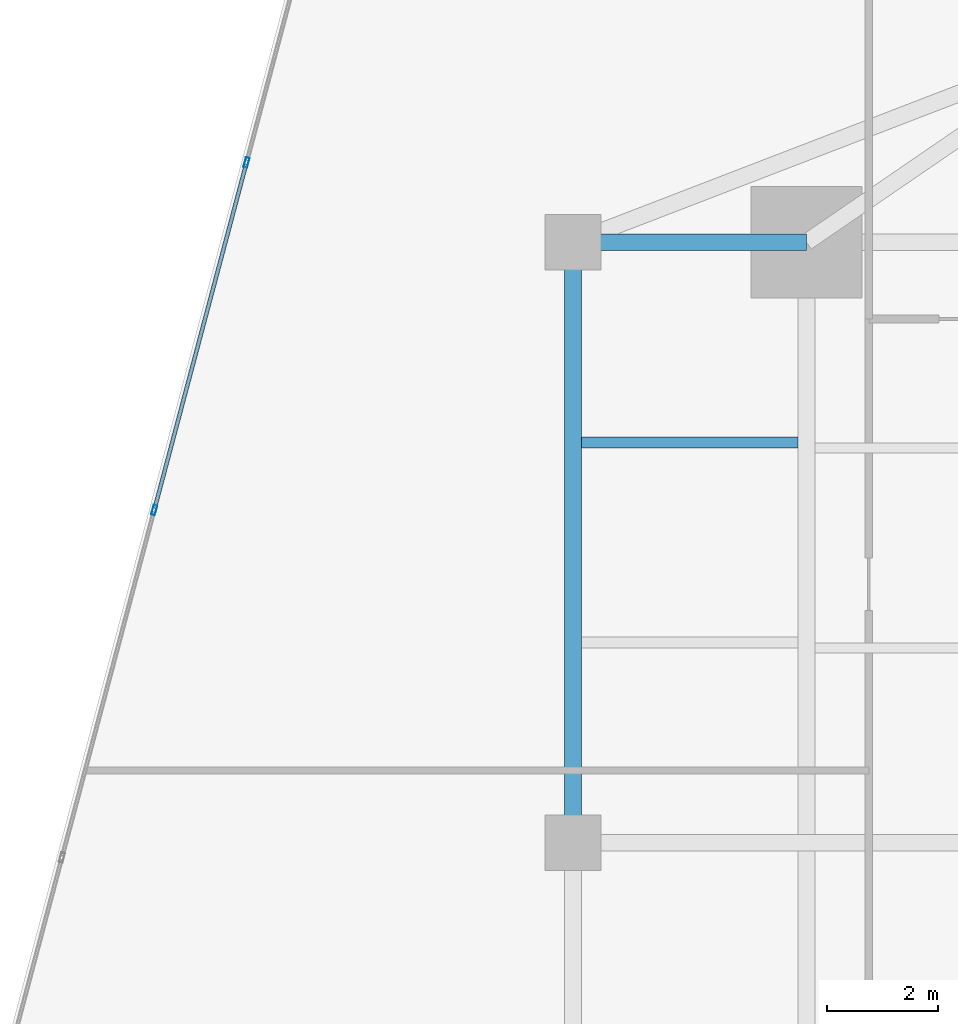
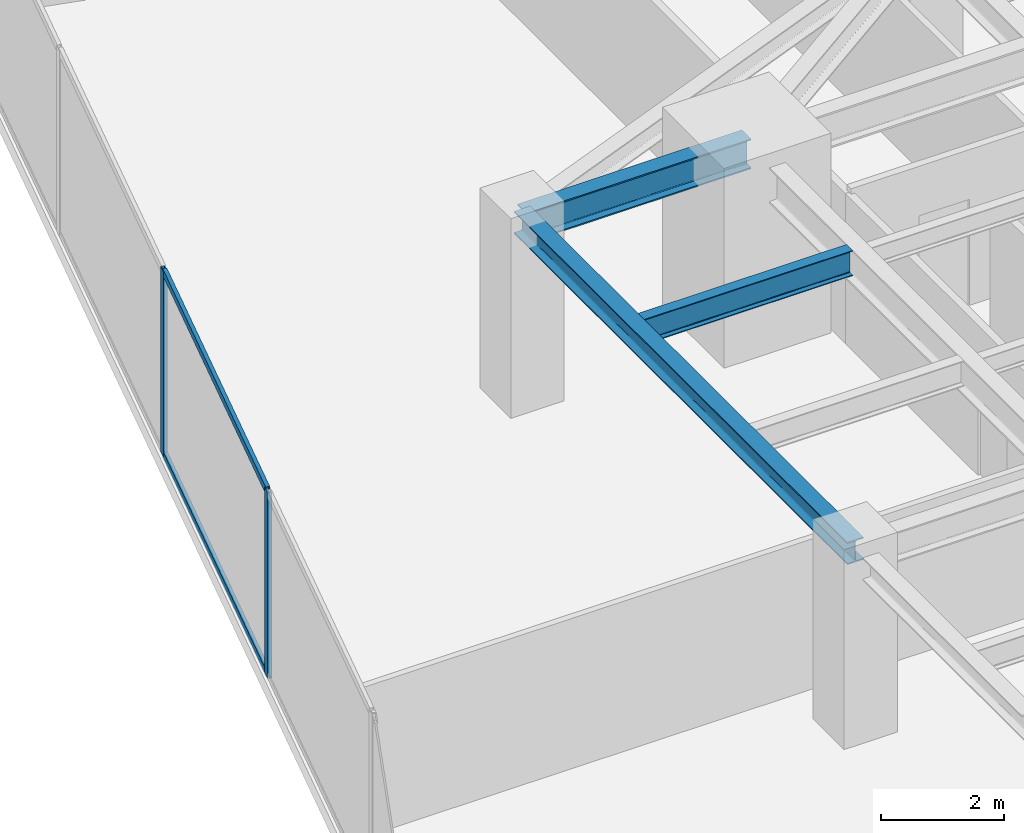
# One storey, part 14 of 27: 4 members, 3 beams, 1 element without a shape of its own.
"""IFC4 building model written with IfcOpenShell, lengths in metres."""

from ifc_helpers import new_model, si_unit, direction, frame, origin, origin_2d, place, context, subcontext, project, spatial, hollow_rectangle, i_section, extrude, source, transform, mapped, material, material_profile, profile_set, type_object, type_shapes, element, aggregate, save


model = new_model("IFC4")

# Units and contexts
model_context = context("Model", 3, precision=1e-05, world=origin(), true_north=direction((0.0, 1.0)))
body_context = subcontext(model_context, "Body", "Model", "MODEL_VIEW")
ifc_project = project(units=[si_unit("LENGTHUNIT", "METRE"), si_unit("AREAUNIT", "SQUARE_METRE"), si_unit("VOLUMEUNIT", "CUBIC_METRE"), si_unit("PLANEANGLEUNIT", "RADIAN"), si_unit("MASSUNIT", "GRAM", prefix="KILO")], contexts=[model_context])

# Site, building, storey
site_placement = place(None, origin())
site = spatial("IfcSite", under=ifc_project, at=site_placement, CompositionType="ELEMENT")
building_placement = place(site_placement, origin())
building = spatial("IfcBuilding", under=site, at=building_placement, Name="Krantzveldt Concourse Tower", CompositionType="ELEMENT")
storey_placement = place(building_placement, frame((0.0, 0.0, 101.89990234375)))
storey = spatial("IfcBuildingStorey", under=building, at=storey_placement, Name="L24", CompositionType="ELEMENT", Elevation=101.89990234375)

# Beams
ifc_material_1 = material(Name="Steel S355JR", Category="steel")
ifc_material_profile_1 = material_profile(ifc_material_1, i_section(OverallWidth=0.300048828125, OverallDepth=0.43994140625, WebThickness=0.011474609375, FlangeThickness=0.02099609375, FilletRadius=0.027099609375, at=origin_2d()), Name="Steel S355JR", Category="steel")
ifc_profile_set_1 = profile_set([ifc_material_profile_1], Name="Steel S355JR - HEA 450")
beam_type_1 = type_object("IfcBeamType", Name="BM-SP-HEA450", PredefinedType="SPANDREL", material=ifc_profile_set_1)
shared_shape_1 = source(origin(), body_context, "Body", "SweptSolid", [
    extrude(i_section(OverallWidth=0.300048828125, OverallDepth=0.43994140625, WebThickness=0.011474609375, FlangeThickness=0.02099609375, FilletRadius=0.027099609375, at=origin_2d()), origin(), (0.0, 0.0, 1.0), 10.800048828125),
])
type_shapes(beam_type_1, [shared_shape_1])
beam_1_placement = place(storey_placement, frame((21.0, 26.699951171875, 3.4501953125), z_axis=(0.0, 1.0, 0.0), x_axis=(-1.0, 0.0, 0.0)))
element("IfcBeam", 1, at=beam_1_placement, inside=storey, type_object=beam_type_1, Name="L24 Tower Girder SP-R02", PredefinedType="SPANDREL", context=body_context, shape_type="MappedRepresentation", body=[
    mapped(shared_shape_1, transform((0.0, 0.0, 0.0), x_axis=(1.0, 0.0, 0.0), y_axis=(0.0, 1.0, 0.0), z_axis=(0.0, 0.0, 1.0), scale=1.0)),
])
ifc_material_profile_2 = material_profile(ifc_material_1, i_section(OverallWidth=0.300048828125, OverallDepth=0.590087890625, WebThickness=0.012939453125, FlangeThickness=0.02490234375, FilletRadius=0.027099609375, at=origin_2d()), Name="Steel S355JR", Category="steel")
ifc_profile_set_2 = profile_set([ifc_material_profile_2], Name="Steel S355JR - HEA 600")
beam_type_2 = type_object("IfcBeamType", Name="BM-B-HEA600", PredefinedType="BEAM", material=ifc_profile_set_2)
shared_shape_2 = source(origin(), body_context, "Body", "SweptSolid", [
    extrude(i_section(OverallWidth=0.300048828125, OverallDepth=0.590087890625, WebThickness=0.012939453125, FlangeThickness=0.02490234375, FilletRadius=0.027099609375, at=origin_2d()), origin(), (0.0, 0.0, 1.0), 4.199951171875),
])
type_shapes(beam_type_2, [shared_shape_2])
beam_2_placement = place(storey_placement, frame((21.0, 37.5, 3.375), z_axis=(1.0, 0.0, 0.0), x_axis=(0.0, 1.0, 0.0)))
element("IfcBeam", 2, at=beam_2_placement, inside=storey, type_object=beam_type_2, Name="L24 Tower Girder BR-RL3", PredefinedType="BEAM", context=body_context, shape_type="MappedRepresentation", body=[
    mapped(shared_shape_2, transform((0.0, 0.0, 0.0), x_axis=(1.0, 0.0, 0.0), y_axis=(0.0, 1.0, 0.0), z_axis=(0.0, 0.0, 1.0), scale=1.0)),
])
ifc_material_profile_3 = material_profile(ifc_material_1, i_section(OverallWidth=0.199951171875, OverallDepth=0.5, WebThickness=0.01025390625, FlangeThickness=0.01611328125, FilletRadius=0.02099609375, at=origin_2d()), Name="Steel S355JR", Category="steel")
ifc_profile_set_3 = profile_set([ifc_material_profile_3], Name="Steel S355JR - IPE 500")
beam_type_3 = type_object("IfcBeamType", Name="BM-J-IPE500", PredefinedType="JOIST", material=ifc_profile_set_3)
shared_shape_3 = source(origin(), body_context, "Body", "SweptSolid", [
    extrude(i_section(OverallWidth=0.199951171875, OverallDepth=0.5, WebThickness=0.01025390625, FlangeThickness=0.01611328125, FilletRadius=0.02099609375, at=origin_2d()), origin(), (0.0, 0.0, 1.0), 3.900146484375),
])
type_shapes(beam_type_3, [shared_shape_3])
beam_3_placement = place(storey_placement, frame((21.14990234375, 33.89990234375, 3.420166015625), z_axis=(1.0, 0.0, 0.0), x_axis=(0.0, 1.0, 0.0)))
element("IfcBeam", 3, at=beam_3_placement, inside=storey, type_object=beam_type_3, Name="L24 Secondary Floor Joist JW-4", PredefinedType="JOIST", context=body_context, shape_type="MappedRepresentation", body=[
    mapped(shared_shape_3, transform((0.0, 0.0, 0.0), x_axis=(1.0, 0.0, 0.0), y_axis=(0.0, 1.0, 0.0), z_axis=(0.0, 0.0, 1.0), scale=1.0)),
])

# Curtain wall, members
ifc_material_2 = material(Name="Anodised aluminium 6063-T6", Category="aluminium")
curtain_wall_type = type_object("IfcCurtainWallType", Name="CW2", PredefinedType="USERDEFINED", material=ifc_material_2)
curtain_wall_placement = place(storey_placement, origin())
curtain_wall = element("IfcCurtainWall", 4, at=curtain_wall_placement, inside=storey, type_object=curtain_wall_type, Name="CW-L24-F01", ObjectType="UNITISED CURTAIN WALL", PredefinedType="USERDEFINED")
ifc_material_profile_4 = material_profile(ifc_material_2, hollow_rectangle(XDim=0.070068359375, YDim=0.179931640625, WallThickness=0.0048828125, at=origin_2d()), Name="Anodised aluminium 6063-T6", Category="aluminium")
ifc_profile_set_4 = profile_set([ifc_material_profile_4], Name="Anodised aluminium 6063-T6 - ALU-MULL 180x70x5")
member_type_1 = type_object("IfcMemberType", Name="CW-MUL-180", PredefinedType="MULLION", material=ifc_profile_set_4)
shared_shape_4 = source(origin(), body_context, "Body", "SweptSolid", [
    extrude(hollow_rectangle(XDim=0.070068359375, YDim=0.179931640625, WallThickness=0.0048828125, at=origin_2d()), origin(), (0.0, 0.0, 1.0), 3.670166015625),
])
type_shapes(member_type_1, [shared_shape_4])
member_1_placement = place(storey_placement, frame((15.131103515625, 38.933837890625, 0.0), z_axis=(0.0, 0.0, 1.0), x_axis=(0.966488186373, -0.256711093648, 0.0)))
member_1 = element("IfcMember", 5, at=member_1_placement, type_object=member_type_1, Name="CW-Z12 mullion 3", PredefinedType="MULLION", context=body_context, shape_type="MappedRepresentation", body=[
    mapped(shared_shape_4, transform((0.0, 0.0, 0.0), x_axis=(1.0, 0.0, 0.0), y_axis=(0.0, 1.0, 0.0), z_axis=(0.0, 0.0, 1.0), scale=1.0)),
])
member_2_placement = place(storey_placement, frame((13.47119140625, 32.683837890625, 0.0), z_axis=(0.0, 0.0, 1.0), x_axis=(0.966488186373, -0.256711093648, 0.0)))
member_2 = element("IfcMember", 6, at=member_2_placement, type_object=member_type_1, Name="CW-Z12 mullion 4", PredefinedType="MULLION", context=body_context, shape_type="MappedRepresentation", body=[
    mapped(shared_shape_4, transform((0.0, 0.0, 0.0), x_axis=(1.0, 0.0, 0.0), y_axis=(0.0, 1.0, 0.0), z_axis=(0.0, 0.0, 1.0), scale=1.0)),
])
ifc_material_profile_5 = material_profile(ifc_material_2, hollow_rectangle(XDim=0.070068359375, YDim=0.139892578125, WallThickness=0.0048828125, at=origin_2d()), Name="Anodised aluminium 6063-T6", Category="aluminium")
ifc_profile_set_5 = profile_set([ifc_material_profile_5], Name="Anodised aluminium 6063-T6 - ALU-TRAN 140x70x5")
member_type_2 = type_object("IfcMemberType", Name="CW-TRN-150", PredefinedType="USERDEFINED", material=ifc_profile_set_5)
shared_shape_5 = source(origin(), body_context, "Body", "SweptSolid", [
    extrude(hollow_rectangle(XDim=0.070068359375, YDim=0.139892578125, WallThickness=0.0048828125, at=origin_2d()), origin(), (0.0, 0.0, 1.0), 6.396728515625),
])
type_shapes(member_type_2, [shared_shape_5])
member_3_placement = place(storey_placement, frame((15.122314453125, 38.900146484375, 0.03515625), z_axis=(-0.256707571528, -0.966489121884, 0.0), x_axis=(0.966489121884, -0.256707571528, 0.0)))
member_3 = element("IfcMember", 7, at=member_3_placement, type_object=member_type_2, Name="CW-Z12 transom 3.1", ObjectType="TRANSOM", PredefinedType="USERDEFINED", context=body_context, shape_type="MappedRepresentation", body=[
    mapped(shared_shape_5, transform((0.0, 0.0, 0.0), x_axis=(1.0, 0.0, 0.0), y_axis=(0.0, 1.0, 0.0), z_axis=(0.0, 0.0, 1.0), scale=1.0)),
])
member_4_placement = place(storey_placement, frame((15.122314453125, 38.900146484375, 3.635009765625), z_axis=(-0.256707571528, -0.966489121884, 0.0), x_axis=(0.966489121884, -0.256707571528, 0.0)))
member_4 = element("IfcMember", 8, at=member_4_placement, type_object=member_type_2, Name="CW-Z12 transom 3.2", ObjectType="TRANSOM", PredefinedType="USERDEFINED", context=body_context, shape_type="MappedRepresentation", body=[
    mapped(shared_shape_5, transform((0.0, 0.0, 0.0), x_axis=(1.0, 0.0, 0.0), y_axis=(0.0, 1.0, 0.0), z_axis=(0.0, 0.0, 1.0), scale=1.0)),
])
aggregate(curtain_wall, [member_1, member_2, member_3, member_4])

save(model, "model.ifc")
